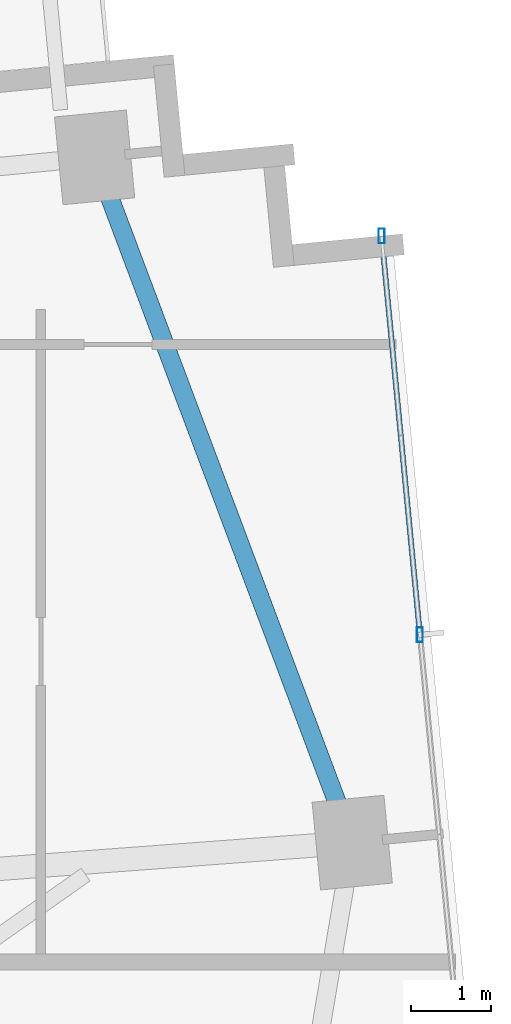
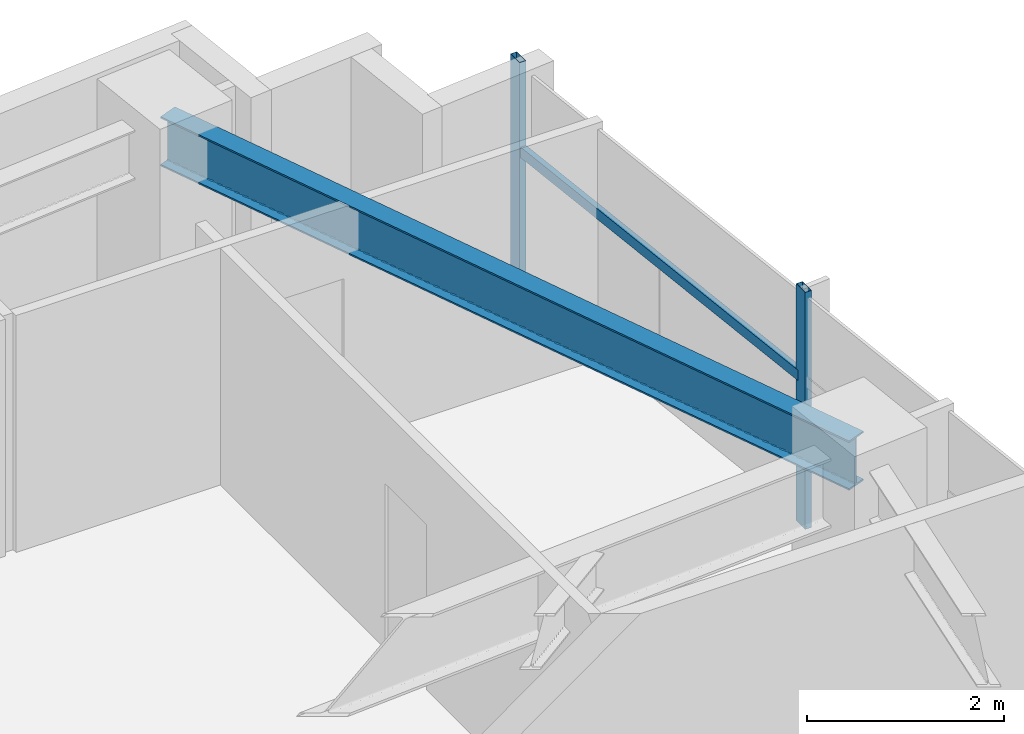
# One storey, part 19 of 27: 3 members, 1 beam, 1 element without a shape of its own.
"""IFC4 building model written with IfcOpenShell, lengths in metres."""

from ifc_helpers import new_model, si_unit, direction, frame, origin, origin_2d, place, context, subcontext, project, spatial, hollow_rectangle, i_section, extrude, source, transform, mapped, material, material_profile, profile_set, type_object, type_shapes, element, aggregate, save


model = new_model("IFC4")

# Units and contexts
model_context = context("Model", 3, precision=1e-05, world=origin(), true_north=direction((0.0, 1.0)))
body_context = subcontext(model_context, "Body", "Model", "MODEL_VIEW")
ifc_project = project(units=[si_unit("LENGTHUNIT", "METRE"), si_unit("AREAUNIT", "SQUARE_METRE"), si_unit("VOLUMEUNIT", "CUBIC_METRE"), si_unit("PLANEANGLEUNIT", "RADIAN"), si_unit("MASSUNIT", "GRAM", prefix="KILO")], contexts=[model_context])

# Site, building, storey
site_placement = place(None, origin())
site = spatial("IfcSite", under=ifc_project, at=site_placement, CompositionType="ELEMENT")
building_placement = place(site_placement, origin())
building = spatial("IfcBuilding", under=site, at=building_placement, Name="Astriad Promenade Condominiums", CompositionType="ELEMENT")
storey_placement = place(building_placement, frame((0.0, 0.0, 97.0)))
storey = spatial("IfcBuildingStorey", under=building, at=storey_placement, Name="L27", CompositionType="ELEMENT", Elevation=97.0)

# Beam
ifc_material_1 = material(Name="Steel ASTM A992 Grade 50", Category="steel")
ifc_material_profile_1 = material_profile(ifc_material_1, i_section(OverallWidth=0.22900390625, OverallDepth=0.612060546875, WebThickness=0.011962890625, FlangeThickness=0.01953125, FilletRadius=0.017822265625, at=origin_2d()), Name="W24X84")
ifc_profile_set_1 = profile_set([ifc_material_profile_1], Name="Steel ASTM A992 Grade 50")
beam_type = type_object("IfcBeamType", Name="STEEL SPANDREL BEAM W24X84", PredefinedType="SPANDREL", material=ifc_profile_set_1)
shared_shape_1 = source(origin(), body_context, "Body", "SweptSolid", [
    extrude(i_section(OverallWidth=0.22900390625, OverallDepth=0.612060546875, WebThickness=0.011962890625, FlangeThickness=0.01953125, FilletRadius=0.017822265625, at=origin_2d()), origin(), (0.0, 0.0, 1.0), 9.0556640625),
])
type_shapes(beam_type, [shared_shape_1])
beam_placement = place(storey_placement, frame((67.63427734375, 19.07666015625, 2.6337890625), z_axis=(-0.351856057459, 0.936054119605, 0.0), x_axis=(-0.936054119605, -0.351856057459, 0.0)))
element("IfcBeam", 1, at=beam_placement, inside=storey, type_object=beam_type, Name="Perimeter Spandrel Beam SP-E2-L27", PredefinedType="SPANDREL", context=body_context, shape_type="MappedRepresentation", body=[
    mapped(shared_shape_1, transform((0.0, 0.0, 0.0), scale=1.0)),
])

# Curtain wall, members
ifc_material_2 = material(Name="Anodised aluminium Black Dark Glass Unitised", Category="aluminium")
curtain_wall_type = type_object("IfcCurtainWallType", Name="CW-B2-DARK", PredefinedType="USERDEFINED", material=ifc_material_2)
curtain_wall_placement = place(storey_placement, origin())
curtain_wall = element("IfcCurtainWall", 2, at=curtain_wall_placement, inside=storey, type_object=curtain_wall_type, Name="CW-L27-E", ObjectType="UNITISED_CURTAIN_WALL", PredefinedType="USERDEFINED")
ifc_material_3 = material(Name="Anodised aluminium 6063-T6 Black", Category="aluminium")
ifc_material_profile_2 = material_profile(ifc_material_3, hollow_rectangle(XDim=0.074951171875, YDim=0.18505859375, WallThickness=0.00439453125, at=origin_2d()), Name="ALU-MUL-75X185")
ifc_profile_set_2 = profile_set([ifc_material_profile_2], Name="Anodised aluminium 6063-T6 Black")
member_type_1 = type_object("IfcMemberType", Name="MUL-ALU-MUL-75X185", PredefinedType="MULLION", material=ifc_profile_set_2)
shared_shape_2 = source(origin(), body_context, "Body", "SweptSolid", [
    extrude(hollow_rectangle(XDim=0.074951171875, YDim=0.18505859375, WallThickness=0.00439453125, at=origin_2d()), origin(), (0.0, 0.0, 1.0), 2.93994140625),
])
type_shapes(member_type_1, [shared_shape_2])
member_1_placement = place(storey_placement, frame((68.0146484375, 26.609130859375, 0.0), z_axis=(0.0, 0.0, 1.0), x_axis=(1.0, 0.0, 0.0)))
member_1 = element("IfcMember", 3, at=member_1_placement, type_object=member_type_1, Name="CW-L27-E-MUL-00", PredefinedType="MULLION", context=body_context, shape_type="MappedRepresentation", body=[
    mapped(shared_shape_2, transform((0.0, 0.0, 0.0), scale=1.0)),
])
member_2_placement = place(storey_placement, frame((68.493896484375, 21.632080078125, 0.0), z_axis=(0.0, 0.0, 1.0), x_axis=(1.0, 0.0, 0.0)))
member_2 = element("IfcMember", 4, at=member_2_placement, type_object=member_type_1, Name="CW-L27-E-MUL-01", PredefinedType="MULLION", context=body_context, shape_type="MappedRepresentation", body=[
    mapped(shared_shape_2, transform((0.0, 0.0, 0.0), scale=1.0)),
])
ifc_material_profile_3 = material_profile(ifc_material_3, hollow_rectangle(XDim=0.06494140625, YDim=0.1298828125, WallThickness=0.00390625, at=origin_2d()), Name="ALU-TRN-65X130")
ifc_profile_set_3 = profile_set([ifc_material_profile_3], Name="Anodised aluminium 6063-T6 Black")
member_type_2 = type_object("IfcMemberType", Name="TRN-ALU-TRN-65X130", PredefinedType="USERDEFINED", material=ifc_profile_set_3)
shared_shape_3 = source(origin(), body_context, "Body", "SweptSolid", [
    extrude(hollow_rectangle(XDim=0.06494140625, YDim=0.1298828125, WallThickness=0.00390625, at=origin_2d()), origin(), (0.0, 0.0, 1.0), 5.0),
])
type_shapes(member_type_2, [shared_shape_3])
member_3_placement = place(storey_placement, frame((68.0146484375, 26.609130859375, 1.82275390625), z_axis=(0.095848242264, -0.995395958629, 0.0), x_axis=(0.995395958629, 0.095848242264, 0.0)))
member_3 = element("IfcMember", 5, at=member_3_placement, type_object=member_type_2, Name="CW-L27-E-TRN-00-0", ObjectType="TRANSOM", PredefinedType="USERDEFINED", context=body_context, shape_type="MappedRepresentation", body=[
    mapped(shared_shape_3, transform((0.0, 0.0, 0.0), scale=1.0)),
])
aggregate(curtain_wall, [member_1, member_2, member_3])

save(model, "model.ifc")
